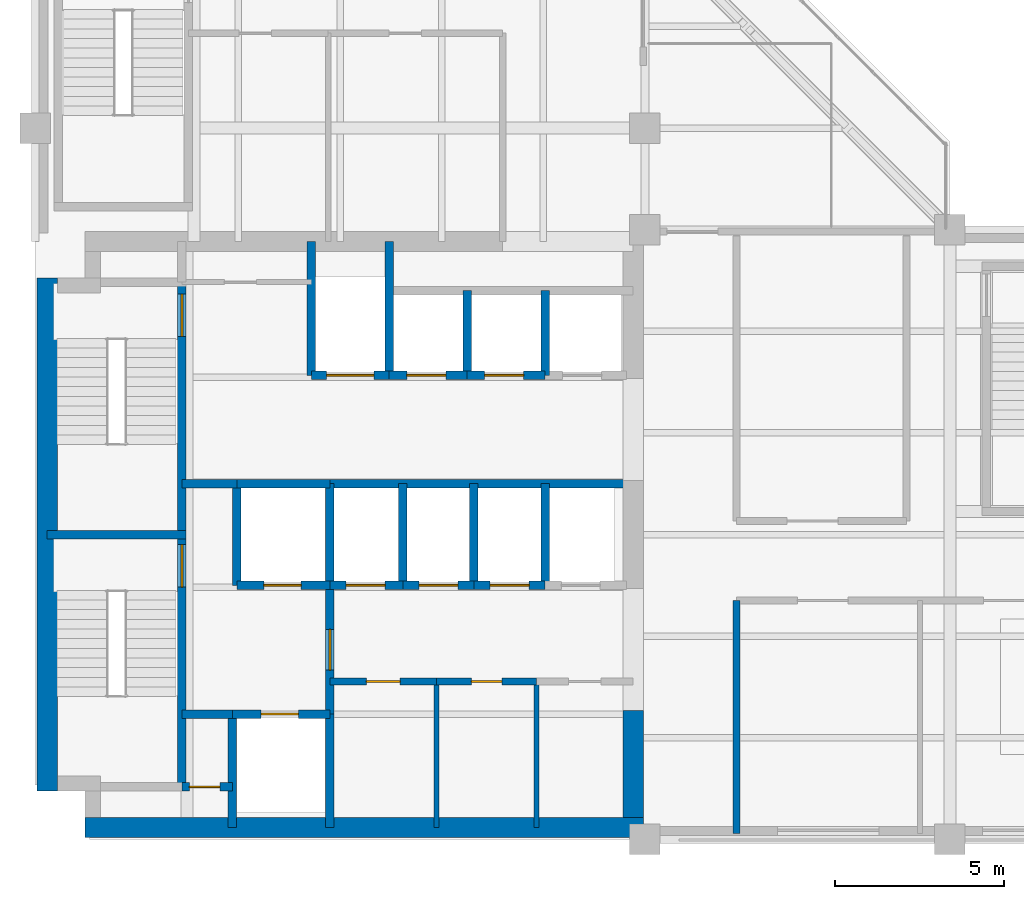
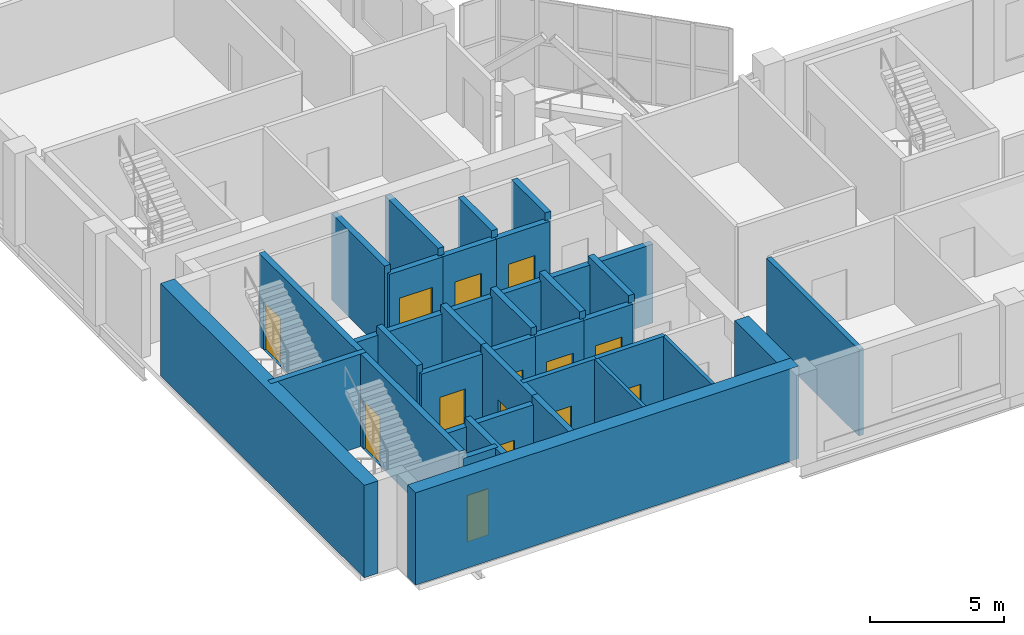
# One storey, part 5 of 9: 36 walls, 14 doors, 14 openings.
"""IFC4 building model written with IfcOpenShell, lengths in metres."""

from ifc_helpers import new_model, si_unit, direction, frame, frame_2d, origin, place, context, subcontext, project, spatial, rectangle, extrude, material, layer, layer_set, type_object, element, fill, save


model = new_model("IFC4")

# Units and contexts
model_context = context("Model", 3, precision=1e-05, world=origin(), true_north=direction((0.0, 1.0)))
body_context = subcontext(model_context, "Body", "Model", "MODEL_VIEW")
ifc_project = project(units=[si_unit("LENGTHUNIT", "METRE"), si_unit("AREAUNIT", "SQUARE_METRE"), si_unit("VOLUMEUNIT", "CUBIC_METRE"), si_unit("PLANEANGLEUNIT", "RADIAN"), si_unit("MASSUNIT", "GRAM", prefix="KILO")], contexts=[model_context])

# Site, building, storey
site_placement = place(None, origin())
site = spatial("IfcSite", under=ifc_project, at=site_placement, CompositionType="ELEMENT")
building_placement = place(site_placement, origin())
building = spatial("IfcBuilding", under=site, at=building_placement, Name="Mawjdan Bourse Tower", CompositionType="ELEMENT")
storey_placement = place(building_placement, frame((0.0, 0.0, 160.199951171875)))
storey = spatial("IfcBuildingStorey", under=building, at=storey_placement, Name="L38", CompositionType="ELEMENT", Elevation=160.199951171875)

# Wall, opening, door
ifc_material_1 = material(Name="Gypsum Fireboard Assembly")
ifc_layer_1 = layer(ifc_material_1, 0.199951171875)
ifc_layer_set_1 = layer_set([ifc_layer_1], Name="Gypsum Fireboard Assembly")
wall_type_1 = type_object("IfcWallType", Name="WL-CMP-200", PredefinedType="PARTITIONING", material=ifc_layer_set_1)
wall_1_placement = place(storey_placement, frame((14.699951171875, 7.659912109375, 0.0), z_axis=(0.0, 0.0, 1.0), x_axis=(1.0, 0.0, 0.0)))
wall_1 = element("IfcWall", 1, at=wall_1_placement, inside=storey, type_object=wall_type_1, Name="L38 Prayer & Quiet Reflection Room North Wall", PredefinedType="PARTITIONING", context=body_context, shape_type="SweptSolid", body=[
    extrude(rectangle(XDim=3.150146484375, YDim=0.199951171875, at=frame_2d((1.5751953125, 0.0))), origin(), (0.0, 0.0, 1.0), 3.929931640625),
])
opening_1_placement = place(wall_1_placement, frame((1.074951171875, 0.0, 0.0)))
opening_1 = element("IfcOpeningElement", 2, at=opening_1_placement, cuts=wall_1, Name="Opening D-L38-13", PredefinedType="OPENING", context=body_context, shape_type="SweptSolid", body=[
    extrude(rectangle(XDim=1.0, YDim=2.14990234375, at=frame_2d((0.5, 1.074951171875))), frame((0.0, 0.10986328125, 0.0), z_axis=(0.0, -1.0, 0.0), x_axis=(1.0, 0.0, 0.0)), (0.0, 0.0, 1.0), 0.219970703125),
])
ifc_material_2 = material(Name="Hardwood Acoustic Leaf", Category="wood")
door_type_1 = type_object("IfcDoorType", Name="DR-OFC-1000", OperationType="NOTDEFINED", PredefinedType="DOOR", material=ifc_material_2)
door_1_placement = place(opening_1_placement, origin())
door_1 = element("IfcDoor", 3, at=door_1_placement, inside=storey, type_object=door_type_1, Name="L38 Prayer & Quiet Reflection Room Door D-L38-13", OperationType="SINGLE_SWING_LEFT", OverallHeight=2.14990234375, OverallWidth=1.0, PredefinedType="DOOR", context=body_context, shape_type="SweptSolid", body=[
    extrude(rectangle(XDim=1.0, YDim=2.14990234375, at=frame_2d((0.5, 1.074951171875))), frame((0.0, 0.02490234375, 0.0), z_axis=(0.0, -1.0, 0.0), x_axis=(1.0, 0.0, 0.0)), (0.0, 0.0, 1.0), 0.050048828125),
])
fill(opening_1, door_1)

wall_2_placement = place(storey_placement, frame((17.85009765625, 7.659912109375, 0.0), z_axis=(0.0, 0.0, 1.0), x_axis=(1.0, 0.0, 0.0)))
wall_2 = element("IfcWall", 4, at=wall_2_placement, inside=storey, type_object=wall_type_1, Name="L38 Electrical Switchboard Room North Wall", PredefinedType="PARTITIONING", context=body_context, shape_type="SweptSolid", body=[
    extrude(rectangle(XDim=2.949951171875, YDim=0.199951171875, at=frame_2d((1.47509765625, 0.0))), origin(), (0.0, 0.0, 1.0), 3.929931640625),
])
opening_2_placement = place(wall_2_placement, frame((1.02490234375, 0.0, 0.0)))
opening_2 = element("IfcOpeningElement", 5, at=opening_2_placement, cuts=wall_2, Name="Opening D-L38-14", PredefinedType="OPENING", context=body_context, shape_type="SweptSolid", body=[
    extrude(rectangle(XDim=0.89990234375, YDim=2.10009765625, at=frame_2d((0.449951171875, 1.050048828125))), frame((0.0, 0.10986328125, 0.0), z_axis=(0.0, -1.0, 0.0), x_axis=(1.0, 0.0, 0.0)), (0.0, 0.0, 1.0), 0.219970703125),
])
ifc_material_3 = material(Name="Fire-Rated Steel Access Leaf", Category="steel")
door_type_2 = type_object("IfcDoorType", Name="FD-RSR-0900", OperationType="NOTDEFINED", PredefinedType="TRAPDOOR", material=ifc_material_3)
door_2_placement = place(opening_2_placement, origin())
door_2 = element("IfcDoor", 6, at=door_2_placement, inside=storey, type_object=door_type_2, Name="L38 Electrical Switchboard Room Door D-L38-14", OperationType="SINGLE_SWING_RIGHT", OverallHeight=2.10009765625, OverallWidth=0.89990234375, PredefinedType="TRAPDOOR", context=body_context, shape_type="SweptSolid", body=[
    extrude(rectangle(XDim=0.89990234375, YDim=2.10009765625, at=frame_2d((0.449951171875, 1.050048828125))), frame((0.0, 0.02490234375, 0.0), z_axis=(0.0, -1.0, 0.0), x_axis=(1.0, 0.0, 0.0)), (0.0, 0.0, 1.0), 0.050048828125),
])
fill(opening_2, door_2)

# Walls
wall_3_placement = place(storey_placement, frame((26.699951171875, 3.179931640625, 0.0), z_axis=(0.0, 0.0, 1.0), x_axis=(0.0, 1.0, 0.0)))
element("IfcWall", 7, at=wall_3_placement, inside=storey, type_object=wall_type_1, Name="L38 Sky Lobby West Wall", PredefinedType="PARTITIONING", context=body_context, shape_type="SweptSolid", body=[
    extrude(rectangle(XDim=6.8701171875, YDim=0.199951171875, at=frame_2d((3.43505859375, 0.0))), origin(), (0.0, 0.0, 1.0), 3.929931640625),
])
ifc_material_4 = material(Name="Concrete C70/85", Category="concrete")
ifc_layer_2 = layer(ifc_material_4, 0.60009765625)
ifc_layer_set_2 = layer_set([ifc_layer_2], Name="Concrete C70/85")
wall_type_2 = type_object("IfcWallType", Name="WL-CORE-600", PredefinedType="SHEAR", material=ifc_layer_set_2)
wall_4_placement = place(storey_placement, frame((7.47509765625, 3.35009765625, 0.0), z_axis=(0.0, 0.0, 1.0), x_axis=(1.0, 0.0, 0.0)))
element("IfcWall", 8, at=wall_4_placement, inside=storey, type_object=wall_type_2, Name="L38 Rear Core Shear Wall S", PredefinedType="SHEAR", context=body_context, shape_type="SweptSolid", body=[
    extrude(rectangle(XDim=16.474853515625, YDim=0.60009765625, at=frame_2d((8.2373046875, 0.0))), origin(), (0.0, 0.0, 1.0), 4.199951171875),
])
wall_5_placement = place(storey_placement, frame((6.35009765625, 4.425048828125, 0.0), z_axis=(0.0, 0.0, 1.0), x_axis=(0.0, 1.0, 0.0)))
element("IfcWall", 9, at=wall_5_placement, inside=storey, type_object=wall_type_2, Name="L38 Rear Core Shear Wall W", PredefinedType="SHEAR", context=body_context, shape_type="SweptSolid", body=[
    extrude(rectangle(XDim=15.14990234375, YDim=0.60009765625, at=frame_2d((7.574951171875, 0.0))), origin(), (0.0, 0.0, 1.0), 4.199951171875),
])
wall_6_placement = place(storey_placement, frame((23.64990234375, 3.64990234375, 0.0), z_axis=(0.0, 0.0, 1.0), x_axis=(0.0, 1.0, 0.0)))
element("IfcWall", 10, at=wall_6_placement, inside=storey, type_object=wall_type_2, Name="L38 Rear Core Shear Wall E1", PredefinedType="SHEAR", context=body_context, shape_type="SweptSolid", body=[
    extrude(rectangle(XDim=3.150146484375, YDim=0.60009765625, at=frame_2d((1.5751953125, 0.0))), origin(), (0.0, 0.0, 1.0), 4.199951171875),
])
ifc_material_5 = material(Name="Gypsum Acoustic Partition")
ifc_layer_3 = layer(ifc_material_5, 0.14990234375)
ifc_layer_set_3 = layer_set([ifc_layer_3], Name="Gypsum Acoustic Partition")
wall_type_3 = type_object("IfcWallType", Name="WL-PRT-150", PredefinedType="PARTITIONING", material=ifc_layer_set_3)
for number, where, z_axis, x_axis, name in (
    (11, (17.85009765625, 3.35009765625, 0.0), (0.0, 0.0, 1.0), (0.0, 1.0, 0.0), "L38 Electrical Switchboard Room Core Split Wall"),
    (12, (20.800048828125, 3.35009765625, 0.0), (0.0, 0.0, 1.0), (0.0, 1.0, 0.0), "L38 Staff Beverage Pantry Core Split Wall"),
):
    element("IfcWall", number, at=place(storey_placement, frame(where, z_axis=z_axis, x_axis=x_axis)), inside=storey, type_object=wall_type_3, Name=name, PredefinedType="PARTITIONING", context=body_context, shape_type="SweptSolid", body=[
        extrude(rectangle(XDim=4.309814453125, YDim=0.14990234375, at=frame_2d((2.15478515625, 0.0))), origin(), (0.0, 0.0, 1.0), 3.929931640625),
    ])

# Wall, opening, door
ifc_material_6 = material(Name="Concrete C50/60", Category="concrete")
ifc_layer_4 = layer(ifc_material_6, 0.25)
ifc_layer_set_4 = layer_set([ifc_layer_4], Name="Concrete C50/60")
wall_type_4 = type_object("IfcWallType", Name="WL-SHFT-250", PredefinedType="PARTITIONING", material=ifc_layer_set_4)
wall_7_placement = place(storey_placement, frame((10.330078125, 4.550048828125, 0.0), z_axis=(0.0, 0.0, 1.0), x_axis=(1.0, 0.0, 0.0)))
wall_7 = element("IfcWall", 13, at=wall_7_placement, inside=storey, type_object=wall_type_4, Name="L38 SW Riser North Wall", PredefinedType="PARTITIONING", context=body_context, shape_type="SweptSolid", body=[
    extrude(rectangle(XDim=1.489990234375, YDim=0.25, at=frame_2d((0.7451171875, 0.0))), origin(), (0.0, 0.0, 1.0), 3.929931640625),
])
opening_3_placement = place(wall_7_placement, frame((0.219970703125, 0.0, 0.0)))
opening_3 = element("IfcOpeningElement", 14, at=opening_3_placement, cuts=wall_7, Name="Opening RD-L38-03", PredefinedType="OPENING", context=body_context, shape_type="SweptSolid", body=[
    extrude(rectangle(XDim=0.89990234375, YDim=2.10009765625, at=frame_2d((0.449951171875, 1.050048828125))), frame((0.0, 0.135009765625, 0.0), z_axis=(0.0, -1.0, 0.0), x_axis=(1.0, 0.0, 0.0)), (0.0, 0.0, 1.0), 0.27001953125),
])
door_3_placement = place(opening_3_placement, origin())
door_3 = element("IfcDoor", 15, at=door_3_placement, inside=storey, type_object=door_type_2, Name="L38 Electrical Riser Access Door RD-L38-03", OperationType="SINGLE_SWING_LEFT", OverallHeight=2.10009765625, OverallWidth=0.89990234375, PredefinedType="TRAPDOOR", context=body_context, shape_type="SweptSolid", body=[
    extrude(rectangle(XDim=0.89990234375, YDim=2.10009765625, at=frame_2d((0.449951171875, 1.050048828125))), frame((0.0, 0.02490234375, 0.0), z_axis=(0.0, -1.0, 0.0), x_axis=(1.0, 0.0, 0.0)), (0.0, 0.0, 1.0), 0.050048828125),
])
fill(opening_3, door_3)

# Wall
wall_8_placement = place(storey_placement, frame((11.820068359375, 3.35009765625, 0.0), z_axis=(0.0, 0.0, 1.0), x_axis=(0.0, 1.0, 0.0)))
element("IfcWall", 16, at=wall_8_placement, inside=storey, type_object=wall_type_4, Name="L38 SW Riser & FFL01 West Wall", PredefinedType="PARTITIONING", context=body_context, shape_type="SweptSolid", body=[
    extrude(rectangle(XDim=3.349853515625, YDim=0.25, at=frame_2d((1.6748046875, 0.0))), origin(), (0.0, 0.0, 1.0), 3.929931640625),
])

# Wall, opening, door
wall_9_placement = place(storey_placement, frame((11.820068359375, 6.699951171875, 0.0), z_axis=(0.0, 0.0, 1.0), x_axis=(1.0, 0.0, 0.0)))
wall_9 = element("IfcWall", 17, at=wall_9_placement, inside=storey, type_object=wall_type_4, Name="L38 FFL-01 Front Shaft Wall", PredefinedType="PARTITIONING", context=body_context, shape_type="SweptSolid", body=[
    extrude(rectangle(XDim=2.8798828125, YDim=0.25, at=frame_2d((1.43994140625, 0.0))), origin(), (0.0, 0.0, 1.0), 3.5830078125),
])
opening_4_placement = place(wall_9_placement, frame((0.85009765625, 0.0, 0.0)))
opening_4 = element("IfcOpeningElement", 18, at=opening_4_placement, cuts=wall_9, Name="Opening LD-L38-05", PredefinedType="OPENING", context=body_context, shape_type="SweptSolid", body=[
    extrude(rectangle(XDim=1.10009765625, YDim=2.25, at=frame_2d((0.550048828125, 1.125))), frame((0.0, 0.135009765625, 0.0), z_axis=(0.0, -1.0, 0.0), x_axis=(1.0, 0.0, 0.0)), (0.0, 0.0, 1.0), 0.27001953125),
])
ifc_material_7 = material(Name="Brushed Stainless Steel", Category="steel")
door_type_3 = type_object("IfcDoorType", Name="LD-FFL-1100", OperationType="DOUBLE_DOOR_SLIDING", PredefinedType="DOOR", material=ifc_material_7)
door_4_placement = place(opening_4_placement, origin())
door_4 = element("IfcDoor", 19, at=door_4_placement, inside=storey, type_object=door_type_3, Name="L38 Firefighting Lift FFL-01 Landing Door LD-L38-05", OperationType="DOUBLE_DOOR_SLIDING", OverallHeight=2.25, OverallWidth=1.10009765625, PredefinedType="DOOR", context=body_context, shape_type="SweptSolid", body=[
    extrude(rectangle(XDim=1.10009765625, YDim=2.25, at=frame_2d((0.550048828125, 1.125))), frame((0.0, 0.02490234375, 0.0), z_axis=(0.0, -1.0, 0.0), x_axis=(1.0, 0.0, 0.0)), (0.0, 0.0, 1.0), 0.050048828125),
])
fill(opening_4, door_4)

# Wall
wall_10_placement = place(storey_placement, frame((14.699951171875, 3.35009765625, 0.0), z_axis=(0.0, 0.0, 1.0), x_axis=(0.0, 1.0, 0.0)))
element("IfcWall", 20, at=wall_10_placement, inside=storey, type_object=wall_type_4, Name="L38 FFL-01 East Shaft Wall", PredefinedType="PARTITIONING", context=body_context, shape_type="SweptSolid", body=[
    extrude(rectangle(XDim=3.349853515625, YDim=0.25, at=frame_2d((1.6748046875, 0.0))), origin(), (0.0, 0.0, 1.0), 3.929931640625),
])

# Wall, opening, door
wall_11_placement = place(storey_placement, frame((11.949951171875, 10.5, 0.0), z_axis=(0.0, 0.0, 1.0), x_axis=(1.0, 0.0, 0.0)))
wall_11 = element("IfcWall", 21, at=wall_11_placement, inside=storey, type_object=wall_type_4, Name="L38 FFL-02 Front Shaft Wall", PredefinedType="PARTITIONING", context=body_context, shape_type="SweptSolid", body=[
    extrude(rectangle(XDim=2.75, YDim=0.25, at=frame_2d((1.375, 0.0))), origin(), (0.0, 0.0, 1.0), 3.5830078125),
])
opening_5_placement = place(wall_11_placement, frame((0.800048828125, 0.0, 0.0)))
opening_5 = element("IfcOpeningElement", 22, at=opening_5_placement, cuts=wall_11, Name="Opening LD-L38-06", PredefinedType="OPENING", context=body_context, shape_type="SweptSolid", body=[
    extrude(rectangle(XDim=1.10009765625, YDim=2.25, at=frame_2d((0.550048828125, 1.125))), frame((0.0, 0.135009765625, 0.0), z_axis=(0.0, -1.0, 0.0), x_axis=(1.0, 0.0, 0.0)), (0.0, 0.0, 1.0), 0.27001953125),
])
door_5_placement = place(opening_5_placement, origin())
door_5 = element("IfcDoor", 23, at=door_5_placement, inside=storey, type_object=door_type_3, Name="L38 Firefighting Lift FFL-02 Landing Door LD-L38-06", OperationType="DOUBLE_DOOR_SLIDING", OverallHeight=2.25, OverallWidth=1.10009765625, PredefinedType="DOOR", context=body_context, shape_type="SweptSolid", body=[
    extrude(rectangle(XDim=1.10009765625, YDim=2.25, at=frame_2d((0.550048828125, 1.125))), frame((0.0, 0.02490234375, 0.0), z_axis=(0.0, -1.0, 0.0), x_axis=(1.0, 0.0, 0.0)), (0.0, 0.0, 1.0), 0.050048828125),
])
fill(opening_5, door_5)

# Walls
wall_12_placement = place(storey_placement, frame((11.949951171875, 10.5, 0.0), z_axis=(0.0, 0.0, 1.0), x_axis=(0.0, 1.0, 0.0)))
element("IfcWall", 24, at=wall_12_placement, inside=storey, type_object=wall_type_4, Name="L38 FFL-02 West Shaft Wall", PredefinedType="PARTITIONING", context=body_context, shape_type="SweptSolid", body=[
    extrude(rectangle(XDim=3.0, YDim=0.25, at=frame_2d((1.5, 0.0))), origin(), (0.0, 0.0, 1.0), 3.929931640625),
])
wall_13_placement = place(storey_placement, frame((11.949951171875, 13.5, 0.0), z_axis=(0.0, 0.0, 1.0), x_axis=(1.0, 0.0, 0.0)))
element("IfcWall", 25, at=wall_13_placement, inside=storey, type_object=wall_type_4, Name="L38 FFL-02 North Shaft Wall", PredefinedType="PARTITIONING", context=body_context, shape_type="SweptSolid", body=[
    extrude(rectangle(XDim=2.75, YDim=0.25, at=frame_2d((1.375, 0.0))), origin(), (0.0, 0.0, 1.0), 3.5830078125),
])
wall_14_placement = place(storey_placement, frame((14.699951171875, 10.5, 0.0), z_axis=(0.0, 0.0, 1.0), x_axis=(0.0, 1.0, 0.0)))
element("IfcWall", 26, at=wall_14_placement, inside=storey, type_object=wall_type_4, Name="L38 FFL-02 East Shaft Wall", PredefinedType="PARTITIONING", context=body_context, shape_type="SweptSolid", body=[
    extrude(rectangle(XDim=3.0, YDim=0.25, at=frame_2d((1.5, 0.0))), origin(), (0.0, 0.0, 1.0), 3.929931640625),
])

# Wall, opening, door
wall_15_placement = place(storey_placement, frame((14.699951171875, 6.699951171875, 0.0), z_axis=(0.0, 0.0, 1.0), x_axis=(0.0, 1.0, 0.0)))
wall_15 = element("IfcWall", 27, at=wall_15_placement, inside=storey, type_object=wall_type_4, Name="L38 Firefighting Lobby East Compartment Wall", PredefinedType="PARTITIONING", context=body_context, shape_type="SweptSolid", body=[
    extrude(rectangle(XDim=3.800048828125, YDim=0.25, at=frame_2d((1.89990234375, 0.0))), origin(), (0.0, 0.0, 1.0), 3.929931640625),
])
opening_6_placement = place(wall_15_placement, frame((1.300048828125, 0.0, 0.0)))
opening_6 = element("IfcOpeningElement", 28, at=opening_6_placement, cuts=wall_15, Name="Opening FD-L38-07", PredefinedType="OPENING", context=body_context, shape_type="SweptSolid", body=[
    extrude(rectangle(XDim=1.199951171875, YDim=2.199951171875, at=frame_2d((0.60009765625, 1.10009765625))), frame((0.0, 0.135009765625, 0.0), z_axis=(0.0, -1.0, 0.0), x_axis=(1.0, 0.0, 0.0)), (0.0, 0.0, 1.0), 0.27001953125),
])
ifc_material_8 = material(Name="Fire-Rated Steel Leaf", Category="steel")
door_type_4 = type_object("IfcDoorType", Name="FD-FFL-1200", OperationType="NOTDEFINED", PredefinedType="DOOR", material=ifc_material_8)
door_6_placement = place(opening_6_placement, origin())
door_6 = element("IfcDoor", 29, at=door_6_placement, inside=storey, type_object=door_type_4, Name="L38 Firefighting Lobby East Smoke Door FD-L38-07", OperationType="SINGLE_SWING_LEFT", OverallHeight=2.199951171875, OverallWidth=1.199951171875, PredefinedType="DOOR", context=body_context, shape_type="SweptSolid", body=[
    extrude(rectangle(XDim=1.199951171875, YDim=2.199951171875, at=frame_2d((0.60009765625, 1.10009765625))), frame((0.0, 0.02490234375, 0.0), z_axis=(0.0, -1.0, 0.0), x_axis=(1.0, 0.0, 0.0)), (0.0, 0.0, 1.0), 0.050048828125),
])
fill(opening_6, door_6)

# Walls
wall_16_placement = place(storey_placement, frame((10.330078125, 13.5, 0.0), z_axis=(0.0, 0.0, 1.0), x_axis=(1.0, 0.0, 0.0)))
element("IfcWall", 30, at=wall_16_placement, inside=storey, type_object=wall_type_4, Name="L38 Firefighting Lobby North Compartment Wall", PredefinedType="PARTITIONING", context=body_context, shape_type="SweptSolid", body=[
    extrude(rectangle(XDim=1.619873046875, YDim=0.25, at=frame_2d((0.81005859375, 0.0))), origin(), (0.0, 0.0, 1.0), 3.5830078125),
])
wall_17_placement = place(storey_placement, frame((10.330078125, 6.699951171875, 0.0), z_axis=(0.0, 0.0, 1.0), x_axis=(1.0, 0.0, 0.0)))
element("IfcWall", 31, at=wall_17_placement, inside=storey, type_object=wall_type_4, Name="L38 Firefighting Lobby South Closure Wall", PredefinedType="PARTITIONING", context=body_context, shape_type="SweptSolid", body=[
    extrude(rectangle(XDim=1.489990234375, YDim=0.25, at=frame_2d((0.7451171875, 0.0))), origin(), (0.0, 0.0, 1.0), 3.5830078125),
])

# Wall, opening, door
wall_18_placement = place(storey_placement, frame((14.14990234375, 16.699951171875, 0.0), z_axis=(0.0, 0.0, 1.0), x_axis=(1.0, 0.0, 0.0)))
wall_18 = element("IfcWall", 32, at=wall_18_placement, inside=storey, type_object=wall_type_4, Name="L38 SVL-01 Front Shaft Wall", PredefinedType="PARTITIONING", context=body_context, shape_type="SweptSolid", body=[
    extrude(rectangle(XDim=2.300048828125, YDim=0.25, at=frame_2d((1.14990234375, 0.0))), origin(), (0.0, 0.0, 1.0), 3.5830078125),
])
opening_7_placement = place(wall_18_placement, frame((0.449951171875, 0.0, 0.0)))
opening_7 = element("IfcOpeningElement", 33, at=opening_7_placement, cuts=wall_18, Name="Opening LD-L38-09", PredefinedType="OPENING", context=body_context, shape_type="SweptSolid", body=[
    extrude(rectangle(XDim=1.39990234375, YDim=2.35009765625, at=frame_2d((0.699951171875, 1.175048828125))), frame((0.0, 0.135009765625, 0.0), z_axis=(0.0, -1.0, 0.0), x_axis=(1.0, 0.0, 0.0)), (0.0, 0.0, 1.0), 0.27001953125),
])
ifc_material_9 = material(Name="Heavy-Duty Stainless Steel", Category="steel")
door_type_5 = type_object("IfcDoorType", Name="LD-SRV-1400", OperationType="DOUBLE_DOOR_SLIDING", PredefinedType="DOOR", material=ifc_material_9)
door_7_placement = place(opening_7_placement, origin())
door_7 = element("IfcDoor", 34, at=door_7_placement, inside=storey, type_object=door_type_5, Name="L38 Service Lift SVL-01 Landing Door LD-L38-09", OperationType="DOUBLE_DOOR_SLIDING", OverallHeight=2.35009765625, OverallWidth=1.39990234375, PredefinedType="DOOR", context=body_context, shape_type="SweptSolid", body=[
    extrude(rectangle(XDim=1.39990234375, YDim=2.35009765625, at=frame_2d((0.699951171875, 1.175048828125))), frame((0.0, 0.02490234375, 0.0), z_axis=(0.0, -1.0, 0.0), x_axis=(1.0, 0.0, 0.0)), (0.0, 0.0, 1.0), 0.050048828125),
])
fill(opening_7, door_7)

# Walls
for number, where, z_axis, x_axis, name in (
    (35, (14.14990234375, 16.699951171875, 0.0), (0.0, 0.0, 1.0), (0.0, 1.0, 0.0), "L38 SVL-01 West Shaft Wall"),
    (36, (16.449951171875, 16.699951171875, 0.0), (0.0, 0.0, 1.0), (0.0, 1.0, 0.0), "L38 SVL-01 East Shaft Wall"),
):
    element("IfcWall", number, at=place(storey_placement, frame(where, z_axis=z_axis, x_axis=x_axis)), inside=storey, type_object=wall_type_4, Name=name, PredefinedType="PARTITIONING", context=body_context, shape_type="SweptSolid", body=[
        extrude(rectangle(XDim=3.949951171875, YDim=0.25, at=frame_2d((1.97509765625, 0.0))), origin(), (0.0, 0.0, 1.0), 3.929931640625),
    ])

# Wall, opening, door
wall_19_placement = place(storey_placement, frame((16.449951171875, 16.699951171875, 0.0), z_axis=(0.0, 0.0, 1.0), x_axis=(1.0, 0.0, 0.0)))
wall_19 = element("IfcWall", 37, at=wall_19_placement, inside=storey, type_object=wall_type_4, Name="L38 PH-01 Front Wall", PredefinedType="PARTITIONING", context=body_context, shape_type="SweptSolid", body=[
    extrude(rectangle(XDim=2.300048828125, YDim=0.25, at=frame_2d((1.14990234375, 0.0))), origin(), (0.0, 0.0, 1.0), 3.5830078125),
])
opening_8_placement = place(wall_19_placement, frame((0.52001953125, 0.0, 0.0)))
opening_8 = element("IfcOpeningElement", 38, at=opening_8_placement, cuts=wall_19, Name="Opening LD-L38-10", PredefinedType="OPENING", context=body_context, shape_type="SweptSolid", body=[
    extrude(rectangle(XDim=1.14990234375, YDim=2.25, at=frame_2d((0.574951171875, 1.125))), frame((0.0, 0.135009765625, 0.0), z_axis=(0.0, -1.0, 0.0), x_axis=(1.0, 0.0, 0.0)), (0.0, 0.0, 1.0), 0.27001953125),
])
door_type_6 = type_object("IfcDoorType", Name="LD-PAS-1150", OperationType="DOUBLE_DOOR_SLIDING", PredefinedType="DOOR", material=ifc_material_7)
door_8_placement = place(opening_8_placement, origin())
door_8 = element("IfcDoor", 39, at=door_8_placement, inside=storey, type_object=door_type_6, Name="L38 Lift PH-01 Landing Door LD-L38-10", OperationType="DOUBLE_DOOR_SLIDING", OverallHeight=2.25, OverallWidth=1.14990234375, PredefinedType="DOOR", context=body_context, shape_type="SweptSolid", body=[
    extrude(rectangle(XDim=1.14990234375, YDim=2.25, at=frame_2d((0.574951171875, 1.125))), frame((0.0, 0.02490234375, 0.0), z_axis=(0.0, -1.0, 0.0), x_axis=(1.0, 0.0, 0.0)), (0.0, 0.0, 1.0), 0.050048828125),
])
fill(opening_8, door_8)

# Wall
wall_20_placement = place(storey_placement, frame((18.75, 16.699951171875, 0.0), z_axis=(0.0, 0.0, 1.0), x_axis=(0.0, 1.0, 0.0)))
element("IfcWall", 40, at=wall_20_placement, inside=storey, type_object=wall_type_4, Name="L38 PH-01 Divider Wall", PredefinedType="PARTITIONING", context=body_context, shape_type="SweptSolid", body=[
    extrude(rectangle(XDim=2.5, YDim=0.25, at=frame_2d((1.25, 0.0))), origin(), (0.0, 0.0, 1.0), 3.929931640625),
])

# Wall, opening, door
wall_21_placement = place(storey_placement, frame((18.75, 16.699951171875, 0.0), z_axis=(0.0, 0.0, 1.0), x_axis=(1.0, 0.0, 0.0)))
wall_21 = element("IfcWall", 41, at=wall_21_placement, inside=storey, type_object=wall_type_4, Name="L38 PH-02 Front Wall", PredefinedType="PARTITIONING", context=body_context, shape_type="SweptSolid", body=[
    extrude(rectangle(XDim=2.300048828125, YDim=0.25, at=frame_2d((1.14990234375, 0.0))), origin(), (0.0, 0.0, 1.0), 3.5830078125),
])
opening_9_placement = place(wall_21_placement, frame((0.52001953125, 0.0, 0.0)))
opening_9 = element("IfcOpeningElement", 42, at=opening_9_placement, cuts=wall_21, Name="Opening LD-L38-11", PredefinedType="OPENING", context=body_context, shape_type="SweptSolid", body=[
    extrude(rectangle(XDim=1.14990234375, YDim=2.25, at=frame_2d((0.574951171875, 1.125))), frame((0.0, 0.135009765625, 0.0), z_axis=(0.0, -1.0, 0.0), x_axis=(1.0, 0.0, 0.0)), (0.0, 0.0, 1.0), 0.27001953125),
])
door_9_placement = place(opening_9_placement, origin())
door_9 = element("IfcDoor", 43, at=door_9_placement, inside=storey, type_object=door_type_6, Name="L38 Lift PH-02 Landing Door LD-L38-11", OperationType="DOUBLE_DOOR_SLIDING", OverallHeight=2.25, OverallWidth=1.14990234375, PredefinedType="DOOR", context=body_context, shape_type="SweptSolid", body=[
    extrude(rectangle(XDim=1.14990234375, YDim=2.25, at=frame_2d((0.574951171875, 1.125))), frame((0.0, 0.02490234375, 0.0), z_axis=(0.0, -1.0, 0.0), x_axis=(1.0, 0.0, 0.0)), (0.0, 0.0, 1.0), 0.050048828125),
])
fill(opening_9, door_9)

# Wall
wall_22_placement = place(storey_placement, frame((21.050048828125, 16.699951171875, 0.0), z_axis=(0.0, 0.0, 1.0), x_axis=(0.0, 1.0, 0.0)))
element("IfcWall", 44, at=wall_22_placement, inside=storey, type_object=wall_type_4, Name="L38 PH-02 Divider Wall", PredefinedType="PARTITIONING", context=body_context, shape_type="SweptSolid", body=[
    extrude(rectangle(XDim=2.5, YDim=0.25, at=frame_2d((1.25, 0.0))), origin(), (0.0, 0.0, 1.0), 3.929931640625),
])

# Wall, opening, door
wall_23_placement = place(storey_placement, frame((14.699951171875, 10.5, 0.0), z_axis=(0.0, 0.0, 1.0), x_axis=(1.0, 0.0, 0.0)))
wall_23 = element("IfcWall", 45, at=wall_23_placement, inside=storey, type_object=wall_type_4, Name="L38 PM-01 Front Wall", PredefinedType="PARTITIONING", context=body_context, shape_type="SweptSolid", body=[
    extrude(rectangle(XDim=2.150146484375, YDim=0.25, at=frame_2d((1.0751953125, 0.0))), origin(), (0.0, 0.0, 1.0), 3.5830078125),
])
opening_10_placement = place(wall_23_placement, frame((0.47998046875, 0.0, 0.0)))
opening_10 = element("IfcOpeningElement", 46, at=opening_10_placement, cuts=wall_23, Name="Opening LD-L38-16", PredefinedType="OPENING", context=body_context, shape_type="SweptSolid", body=[
    extrude(rectangle(XDim=1.14990234375, YDim=2.25, at=frame_2d((0.574951171875, 1.125))), frame((0.0, 0.135009765625, 0.0), z_axis=(0.0, -1.0, 0.0), x_axis=(1.0, 0.0, 0.0)), (0.0, 0.0, 1.0), 0.27001953125),
])
door_10_placement = place(opening_10_placement, origin())
door_10 = element("IfcDoor", 47, at=door_10_placement, inside=storey, type_object=door_type_6, Name="L38 Lift PM-01 Landing Door LD-L38-16", OperationType="DOUBLE_DOOR_SLIDING", OverallHeight=2.25, OverallWidth=1.14990234375, PredefinedType="DOOR", context=body_context, shape_type="SweptSolid", body=[
    extrude(rectangle(XDim=1.14990234375, YDim=2.25, at=frame_2d((0.574951171875, 1.125))), frame((0.0, 0.02490234375, 0.0), z_axis=(0.0, -1.0, 0.0), x_axis=(1.0, 0.0, 0.0)), (0.0, 0.0, 1.0), 0.050048828125),
])
fill(opening_10, door_10)

# Wall
wall_24_placement = place(storey_placement, frame((16.85009765625, 10.5, 0.0), z_axis=(0.0, 0.0, 1.0), x_axis=(0.0, 1.0, 0.0)))
element("IfcWall", 48, at=wall_24_placement, inside=storey, type_object=wall_type_4, Name="L38 PM-01 Divider Wall", PredefinedType="PARTITIONING", context=body_context, shape_type="SweptSolid", body=[
    extrude(rectangle(XDim=3.0, YDim=0.25, at=frame_2d((1.5, 0.0))), origin(), (0.0, 0.0, 1.0), 3.929931640625),
])

# Wall, opening, door
wall_25_placement = place(storey_placement, frame((16.85009765625, 10.5, 0.0), z_axis=(0.0, 0.0, 1.0), x_axis=(1.0, 0.0, 0.0)))
wall_25 = element("IfcWall", 49, at=wall_25_placement, inside=storey, type_object=wall_type_4, Name="L38 PM-02 Front Wall", PredefinedType="PARTITIONING", context=body_context, shape_type="SweptSolid", body=[
    extrude(rectangle(XDim=2.099853515625, YDim=0.25, at=frame_2d((1.0498046875, 0.0))), origin(), (0.0, 0.0, 1.0), 3.5830078125),
])
opening_11_placement = place(wall_25_placement, frame((0.47998046875, 0.0, 0.0)))
opening_11 = element("IfcOpeningElement", 50, at=opening_11_placement, cuts=wall_25, Name="Opening LD-L38-17", PredefinedType="OPENING", context=body_context, shape_type="SweptSolid", body=[
    extrude(rectangle(XDim=1.14990234375, YDim=2.25, at=frame_2d((0.574951171875, 1.125))), frame((0.0, 0.135009765625, 0.0), z_axis=(0.0, -1.0, 0.0), x_axis=(1.0, 0.0, 0.0)), (0.0, 0.0, 1.0), 0.27001953125),
])
door_11_placement = place(opening_11_placement, origin())
door_11 = element("IfcDoor", 51, at=door_11_placement, inside=storey, type_object=door_type_6, Name="L38 Lift PM-02 Landing Door LD-L38-17", OperationType="DOUBLE_DOOR_SLIDING", OverallHeight=2.25, OverallWidth=1.14990234375, PredefinedType="DOOR", context=body_context, shape_type="SweptSolid", body=[
    extrude(rectangle(XDim=1.14990234375, YDim=2.25, at=frame_2d((0.574951171875, 1.125))), frame((0.0, 0.02490234375, 0.0), z_axis=(0.0, -1.0, 0.0), x_axis=(1.0, 0.0, 0.0)), (0.0, 0.0, 1.0), 0.050048828125),
])
fill(opening_11, door_11)

# Wall
wall_26_placement = place(storey_placement, frame((18.949951171875, 10.5, 0.0), z_axis=(0.0, 0.0, 1.0), x_axis=(0.0, 1.0, 0.0)))
element("IfcWall", 52, at=wall_26_placement, inside=storey, type_object=wall_type_4, Name="L38 PM-02 Divider Wall", PredefinedType="PARTITIONING", context=body_context, shape_type="SweptSolid", body=[
    extrude(rectangle(XDim=3.0, YDim=0.25, at=frame_2d((1.5, 0.0))), origin(), (0.0, 0.0, 1.0), 3.929931640625),
])

# Wall, opening, door
wall_27_placement = place(storey_placement, frame((18.949951171875, 10.5, 0.0), z_axis=(0.0, 0.0, 1.0), x_axis=(1.0, 0.0, 0.0)))
wall_27 = element("IfcWall", 53, at=wall_27_placement, inside=storey, type_object=wall_type_4, Name="L38 PM-03 Front Wall", PredefinedType="PARTITIONING", context=body_context, shape_type="SweptSolid", body=[
    extrude(rectangle(XDim=2.10009765625, YDim=0.25, at=frame_2d((1.050048828125, 0.0))), origin(), (0.0, 0.0, 1.0), 3.5830078125),
])
opening_12_placement = place(wall_27_placement, frame((0.47998046875, 0.0, 0.0)))
opening_12 = element("IfcOpeningElement", 54, at=opening_12_placement, cuts=wall_27, Name="Opening LD-L38-18", PredefinedType="OPENING", context=body_context, shape_type="SweptSolid", body=[
    extrude(rectangle(XDim=1.14990234375, YDim=2.25, at=frame_2d((0.574951171875, 1.125))), frame((0.0, 0.135009765625, 0.0), z_axis=(0.0, -1.0, 0.0), x_axis=(1.0, 0.0, 0.0)), (0.0, 0.0, 1.0), 0.27001953125),
])
door_12_placement = place(opening_12_placement, origin())
door_12 = element("IfcDoor", 55, at=door_12_placement, inside=storey, type_object=door_type_6, Name="L38 Lift PM-03 Landing Door LD-L38-18", OperationType="DOUBLE_DOOR_SLIDING", OverallHeight=2.25, OverallWidth=1.14990234375, PredefinedType="DOOR", context=body_context, shape_type="SweptSolid", body=[
    extrude(rectangle(XDim=1.14990234375, YDim=2.25, at=frame_2d((0.574951171875, 1.125))), frame((0.0, 0.02490234375, 0.0), z_axis=(0.0, -1.0, 0.0), x_axis=(1.0, 0.0, 0.0)), (0.0, 0.0, 1.0), 0.050048828125),
])
fill(opening_12, door_12)

# Walls
wall_28_placement = place(storey_placement, frame((21.050048828125, 10.5, 0.0), z_axis=(0.0, 0.0, 1.0), x_axis=(0.0, 1.0, 0.0)))
element("IfcWall", 56, at=wall_28_placement, inside=storey, type_object=wall_type_4, Name="L38 PM-03 Divider Wall", PredefinedType="PARTITIONING", context=body_context, shape_type="SweptSolid", body=[
    extrude(rectangle(XDim=3.0, YDim=0.25, at=frame_2d((1.5, 0.0))), origin(), (0.0, 0.0, 1.0), 3.929931640625),
])
wall_29_placement = place(storey_placement, frame((14.699951171875, 13.5, 0.0), z_axis=(0.0, 0.0, 1.0), x_axis=(1.0, 0.0, 0.0)))
element("IfcWall", 57, at=wall_29_placement, inside=storey, type_object=wall_type_4, Name="L38 PM Bank North Shaft Back Wall", PredefinedType="PARTITIONING", context=body_context, shape_type="SweptSolid", body=[
    extrude(rectangle(XDim=8.949951171875, YDim=0.25, at=frame_2d((4.47509765625, 0.0))), origin(), (0.0, 0.0, 1.0), 3.5830078125),
])
ifc_layer_5 = layer(ifc_material_6, 0.25)
ifc_layer_set_5 = layer_set([ifc_layer_5], Name="Concrete C50/60")
wall_type_5 = type_object("IfcWallType", Name="WL-STRW-250", PredefinedType="SHEAR", material=ifc_layer_set_5)
wall_30_placement = place(storey_placement, frame((6.35009765625, 12.0, 0.0), z_axis=(0.0, 0.0, 1.0), x_axis=(1.0, 0.0, 0.0)))
element("IfcWall", 58, at=wall_30_placement, inside=storey, type_object=wall_type_5, Name="L38 Stairwell Dividing Shaft Wall", PredefinedType="SHEAR", context=body_context, shape_type="SweptSolid", body=[
    extrude(rectangle(XDim=4.10498046875, YDim=0.25, at=frame_2d((2.052490234375, 0.0))), origin(), (0.0, 0.0, 1.0), 4.199951171875),
])

# Wall, opening, door
wall_31_placement = place(storey_placement, frame((10.330078125, 4.550048828125, 0.0), z_axis=(0.0, 0.0, 1.0), x_axis=(0.0, 1.0, 0.0)))
wall_31 = element("IfcWall", 59, at=wall_31_placement, inside=storey, type_object=wall_type_5, Name="L38 Stairwell ST1 East Enclosure Wall", PredefinedType="SHEAR", context=body_context, shape_type="SweptSolid", body=[
    extrude(rectangle(XDim=7.449951171875, YDim=0.25, at=frame_2d((3.72509765625, 0.0))), origin(), (0.0, 0.0, 1.0), 4.199951171875),
])
opening_13_placement = place(wall_31_placement, frame((5.89990234375, 0.0, 0.0)))
opening_13 = element("IfcOpeningElement", 60, at=opening_13_placement, cuts=wall_31, Name="Opening SD-L38-01", PredefinedType="OPENING", context=body_context, shape_type="SweptSolid", body=[
    extrude(rectangle(XDim=1.25, YDim=2.199951171875, at=frame_2d((0.625, 1.10009765625))), frame((0.0, 0.135009765625, 0.0), z_axis=(0.0, -1.0, 0.0), x_axis=(1.0, 0.0, 0.0)), (0.0, 0.0, 1.0), 0.27001953125),
])
door_type_7 = type_object("IfcDoorType", Name="FD-ST-1250", OperationType="NOTDEFINED", PredefinedType="DOOR", material=ifc_material_8)
door_13_placement = place(opening_13_placement, origin())
door_13 = element("IfcDoor", 61, at=door_13_placement, inside=storey, type_object=door_type_7, Name="L38 Exit Stair ST1 Fire Door SD-L38-01", OperationType="SINGLE_SWING_LEFT", OverallHeight=2.199951171875, OverallWidth=1.25, PredefinedType="DOOR", context=body_context, shape_type="SweptSolid", body=[
    extrude(rectangle(XDim=1.25, YDim=2.199951171875, at=frame_2d((0.625, 1.10009765625))), frame((0.0, 0.02490234375, 0.0), z_axis=(0.0, -1.0, 0.0), x_axis=(1.0, 0.0, 0.0)), (0.0, 0.0, 1.0), 0.050048828125),
])
fill(opening_13, door_13)

wall_32_placement = place(storey_placement, frame((10.330078125, 12.0, 0.0), z_axis=(0.0, 0.0, 1.0), x_axis=(0.0, 1.0, 0.0)))
wall_32 = element("IfcWall", 62, at=wall_32_placement, inside=storey, type_object=wall_type_5, Name="L38 Stairwell ST2 East Enclosure Wall", PredefinedType="SHEAR", context=body_context, shape_type="SweptSolid", body=[
    extrude(rectangle(XDim=7.449951171875, YDim=0.25, at=frame_2d((3.72509765625, 0.0))), origin(), (0.0, 0.0, 1.0), 4.199951171875),
])
opening_14_placement = place(wall_32_placement, frame((5.85009765625, 0.0, 0.0)))
opening_14 = element("IfcOpeningElement", 63, at=opening_14_placement, cuts=wall_32, Name="Opening SD-L38-02", PredefinedType="OPENING", context=body_context, shape_type="SweptSolid", body=[
    extrude(rectangle(XDim=1.25, YDim=2.199951171875, at=frame_2d((0.625, 1.10009765625))), frame((0.0, 0.135009765625, 0.0), z_axis=(0.0, -1.0, 0.0), x_axis=(1.0, 0.0, 0.0)), (0.0, 0.0, 1.0), 0.27001953125),
])
door_14_placement = place(opening_14_placement, origin())
door_14 = element("IfcDoor", 64, at=door_14_placement, inside=storey, type_object=door_type_7, Name="L38 Exit Stair ST2 Fire Door SD-L38-02", OperationType="SINGLE_SWING_RIGHT", OverallHeight=2.199951171875, OverallWidth=1.25, PredefinedType="DOOR", context=body_context, shape_type="SweptSolid", body=[
    extrude(rectangle(XDim=1.25, YDim=2.199951171875, at=frame_2d((0.625, 1.10009765625))), frame((0.0, 0.02490234375, 0.0), z_axis=(0.0, -1.0, 0.0), x_axis=(1.0, 0.0, 0.0)), (0.0, 0.0, 1.0), 0.050048828125),
])
fill(opening_14, door_14)

save(model, "model.ifc")
